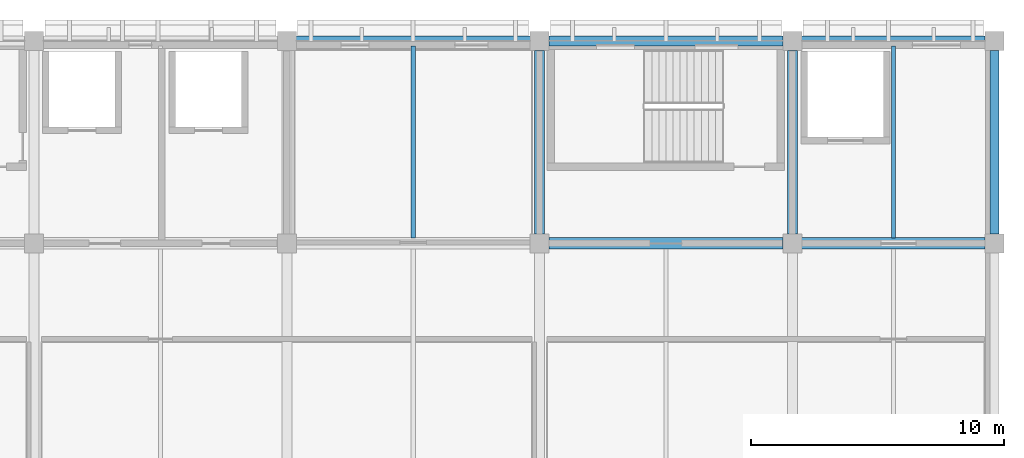
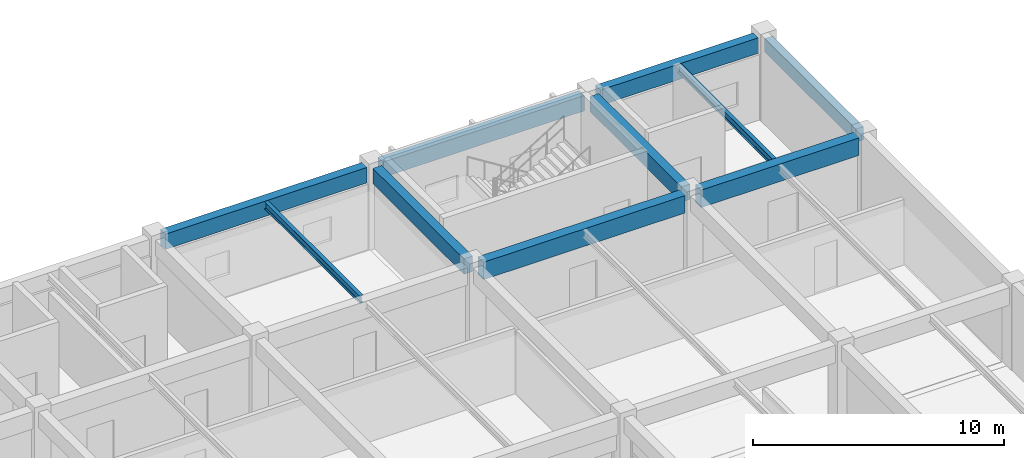
# One storey, part 42 of 83: 10 beams.
"""IFC4 building model written with IfcOpenShell, lengths in metres."""

from ifc_helpers import new_model, si_unit, direction, frame, origin, origin_2d, place, context, subcontext, project, spatial, rectangle, i_section, extrude, material, material_profile, profile_set, type_object, element, save


model = new_model("IFC4")

# Units and contexts
model_context = context("Model", 3, precision=1e-05, world=origin(), true_north=direction((0.0, 1.0)))
body_context = subcontext(model_context, "Body", "Model", "MODEL_VIEW")
ifc_project = project(units=[si_unit("LENGTHUNIT", "METRE"), si_unit("AREAUNIT", "SQUARE_METRE"), si_unit("VOLUMEUNIT", "CUBIC_METRE"), si_unit("PLANEANGLEUNIT", "RADIAN"), si_unit("MASSUNIT", "GRAM", prefix="KILO")], contexts=[model_context])

# Site, building, storey
site_placement = place(None, origin())
site = spatial("IfcSite", under=ifc_project, at=site_placement, CompositionType="ELEMENT")
building_placement = place(site_placement, origin())
building = spatial("IfcBuilding", under=site, at=building_placement, Name="Kivolera Central Railway Station", CompositionType="ELEMENT")
storey_placement = place(building_placement, frame((0.0, 0.0, 14.39990234375)))
storey = spatial("IfcBuildingStorey", under=building, at=storey_placement, Name="L03", CompositionType="ELEMENT", Elevation=14.39990234375)

# Beams
ifc_material_1 = material(Name="Steel S355", Category="steel")
ifc_material_profile_1 = material_profile(ifc_material_1, i_section(OverallWidth=0.169921875, OverallDepth=0.360107421875, WebThickness=0.008056640625, FlangeThickness=0.0126953125, FilletRadius=0.01806640625, at=origin_2d()), Name="IPE 360")
ifc_profile_set_1 = profile_set([ifc_material_profile_1], Name="Steel S355")
beam_type_1 = type_object("IfcBeamType", Name="BM-JST-IPE360", PredefinedType="JOIST", material=ifc_profile_set_1)
for number, where, z_axis, x_axis, name in (
    (1, (173.0, 126.217041015625, 3.748046875), (0.0, 1.0, 0.0), (-1.0, 0.0, 0.0), "L03 Floor Joist 17-18/L-M"),
    (2, (192.0, 126.217041015625, 3.748046875), (0.0, 1.0, 0.0), (-1.0, 0.0, 0.0), "L03 Floor Joist 19-20/L-M"),
):
    element("IfcBeam", number, at=place(storey_placement, frame(where, z_axis=z_axis, x_axis=x_axis)), inside=storey, type_object=beam_type_1, Name=name, PredefinedType="JOIST", context=body_context, shape_type="SweptSolid", body=[
        extrude(i_section(OverallWidth=0.169921875, OverallDepth=0.360107421875, WebThickness=0.008056640625, FlangeThickness=0.0126953125, FilletRadius=0.01806640625, at=origin_2d()), origin(), (0.0, 0.0, 1.0), 7.591064453125),
    ])
ifc_material_2 = material(Name="Concrete C40/50", Category="concrete")
ifc_material_profile_2 = material_profile(ifc_material_2, rectangle(XDim=0.39990234375, YDim=0.75, at=origin_2d()), Name="RC 400x750")
ifc_profile_set_2 = profile_set([ifc_material_profile_2], Name="Concrete C40/50")
beam_type_2 = type_object("IfcBeamType", Name="BM-RC-400x750", PredefinedType="BEAM", material=ifc_profile_set_2)
for number, where, z_axis, x_axis, name in (
    (3, (178.0, 126.366943359375, 3.565185546875), (0.0, 1.0, 0.0), (-1.0, 0.0, 0.0), "L03 Wing Y-Beam 18:L-M"),
    (4, (188.0, 126.366943359375, 3.565185546875), (0.0, 1.0, 0.0), (-1.0, 0.0, 0.0), "L03 Wing Y-Beam 19:L-M"),
):
    element("IfcBeam", number, at=place(storey_placement, frame(where, z_axis=z_axis, x_axis=x_axis)), inside=storey, type_object=beam_type_2, Name=name, PredefinedType="BEAM", context=body_context, shape_type="SweptSolid", body=[
        extrude(rectangle(XDim=0.39990234375, YDim=0.75, at=origin_2d()), origin(), (0.0, 0.0, 1.0), 7.26611328125),
    ])
ifc_material_profile_3 = material_profile(ifc_material_2, rectangle(XDim=0.449951171875, YDim=0.85009765625, at=origin_2d()), Name="RC 450x850")
ifc_profile_set_3 = profile_set([ifc_material_profile_3], Name="Concrete C40/50")
beam_type_3 = type_object("IfcBeamType", Name="BM-RC-450x850", PredefinedType="BEAM", material=ifc_profile_set_3)
beam_1_placement = place(storey_placement, frame((178.366943359375, 126.0, 3.51513671875), z_axis=(1.0, 0.0, 0.0), x_axis=(0.0, 1.0, 0.0)))
element("IfcBeam", 5, at=beam_1_placement, inside=storey, type_object=beam_type_3, Name="L03 Wing X-Beam L:18-19", PredefinedType="BEAM", context=body_context, shape_type="SweptSolid", body=[
    extrude(rectangle(XDim=0.449951171875, YDim=0.85009765625, at=origin_2d()), origin(), (0.0, 0.0, 1.0), 9.26611328125),
])
beam_2_placement = place(storey_placement, frame((188.366943359375, 126.0, 3.51513671875), z_axis=(1.0, 0.0, 0.0), x_axis=(0.0, 1.0, 0.0)))
element("IfcBeam", 6, at=beam_2_placement, inside=storey, type_object=beam_type_3, Name="L03 Wing X-Beam L:19-20", PredefinedType="BEAM", context=body_context, shape_type="SweptSolid", body=[
    extrude(rectangle(XDim=0.449951171875, YDim=0.85009765625, at=origin_2d()), origin(), (0.0, 0.0, 1.0), 7.26611328125),
])
ifc_material_profile_4 = material_profile(ifc_material_2, rectangle(XDim=0.35009765625, YDim=0.64990234375, at=origin_2d()), Name="RC 350x650")
ifc_profile_set_4 = profile_set([ifc_material_profile_4], Name="Concrete C40/50")
beam_type_4 = type_object("IfcBeamType", Name="BM-SPN-RC650", PredefinedType="SPANDREL", material=ifc_profile_set_4)
beam_3_placement = place(storey_placement, frame((196.0, 126.366943359375, 3.614990234375), z_axis=(0.0, 1.0, 0.0), x_axis=(-1.0, 0.0, 0.0)))
element("IfcBeam", 7, at=beam_3_placement, inside=storey, type_object=beam_type_4, Name="L03 Wing Y-Beam 20:L-M", PredefinedType="SPANDREL", context=body_context, shape_type="SweptSolid", body=[
    extrude(rectangle(XDim=0.35009765625, YDim=0.64990234375, at=origin_2d()), origin(), (0.0, 0.0, 1.0), 7.26611328125),
])
ifc_material_profile_5 = material_profile(ifc_material_2, rectangle(XDim=0.39990234375, YDim=0.75, at=origin_2d()), Name="RC 400x750")
ifc_profile_set_5 = profile_set([ifc_material_profile_5], Name="Concrete C40/50")
beam_type_5 = type_object("IfcBeamType", Name="BM-SPN-RC750", PredefinedType="SPANDREL", material=ifc_profile_set_5)
for number, where, z_axis, x_axis, name in (
    (8, (168.366943359375, 134.0, 3.565185546875), (1.0, 0.0, 0.0), (0.0, 1.0, 0.0), "L03 Wing X-Beam M:17-18"),
    (9, (178.366943359375, 134.0, 3.565185546875), (1.0, 0.0, 0.0), (0.0, 1.0, 0.0), "L03 Wing X-Beam M:18-19"),
):
    element("IfcBeam", number, at=place(storey_placement, frame(where, z_axis=z_axis, x_axis=x_axis)), inside=storey, type_object=beam_type_5, Name=name, PredefinedType="SPANDREL", context=body_context, shape_type="SweptSolid", body=[
        extrude(rectangle(XDim=0.39990234375, YDim=0.75, at=origin_2d()), origin(), (0.0, 0.0, 1.0), 9.26611328125),
    ])
beam_4_placement = place(storey_placement, frame((188.366943359375, 134.0, 3.565185546875), z_axis=(1.0, 0.0, 0.0), x_axis=(0.0, 1.0, 0.0)))
element("IfcBeam", 10, at=beam_4_placement, inside=storey, type_object=beam_type_5, Name="L03 Wing X-Beam M:19-20", PredefinedType="SPANDREL", context=body_context, shape_type="SweptSolid", body=[
    extrude(rectangle(XDim=0.39990234375, YDim=0.75, at=origin_2d()), origin(), (0.0, 0.0, 1.0), 7.26611328125),
])

save(model, "model.ifc")
